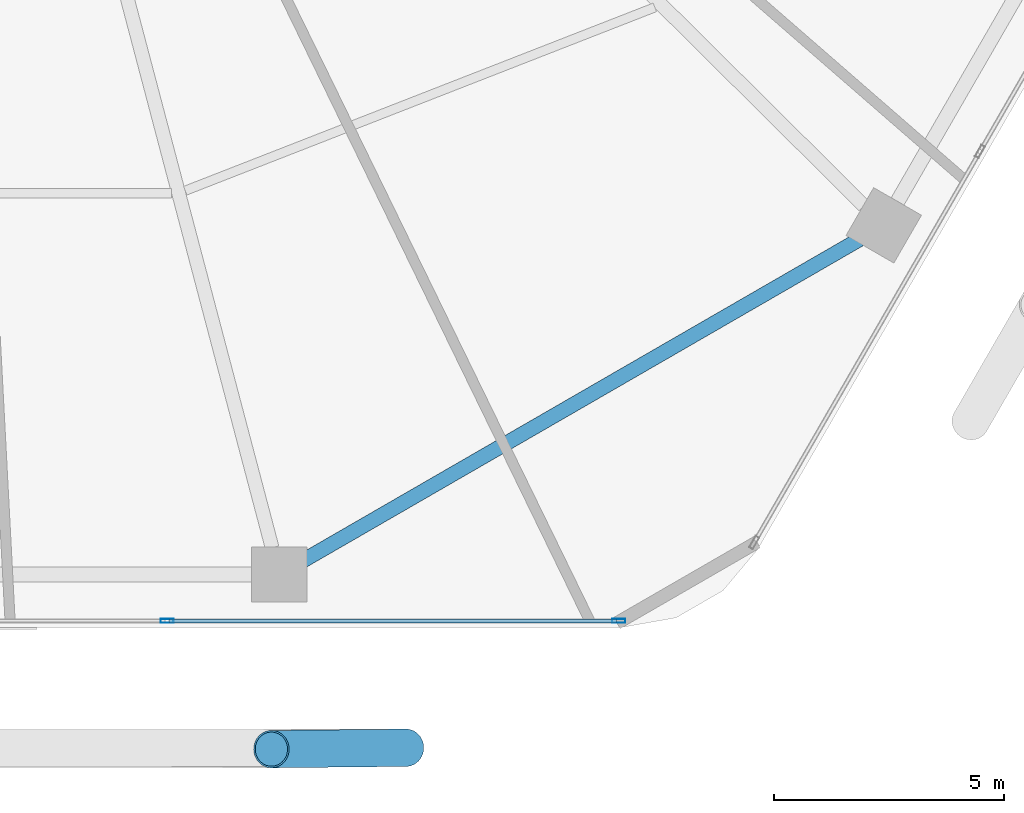
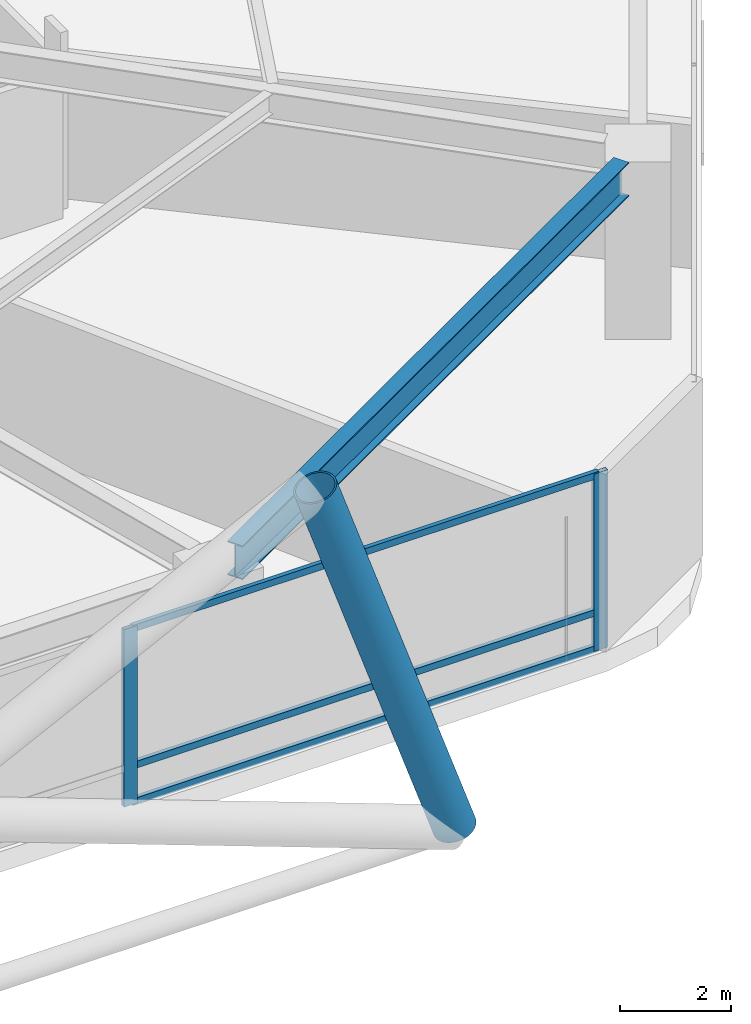
# One storey, part 7 of 31: 6 members, 1 beam, 1 element without a shape of its own.
"""IFC4 building model written with IfcOpenShell, lengths in metres."""

from ifc_helpers import new_model, si_unit, direction, frame, origin, origin_2d, place, context, subcontext, project, spatial, hollow_rectangle, hollow_circle, i_section, extrude, material, material_profile, profile_set, type_object, element, aggregate, save


model = new_model("IFC4")

# Units and contexts
model_context = context("Model", 3, precision=1e-05, world=origin(), true_north=direction((0.0, 1.0)))
body_context = subcontext(model_context, "Body", "Model", "MODEL_VIEW")
ifc_project = project(units=[si_unit("LENGTHUNIT", "METRE"), si_unit("AREAUNIT", "SQUARE_METRE"), si_unit("VOLUMEUNIT", "CUBIC_METRE"), si_unit("PLANEANGLEUNIT", "RADIAN"), si_unit("MASSUNIT", "GRAM", prefix="KILO")], contexts=[model_context])

# Site, building, storey
site_placement = place(None, origin())
site = spatial("IfcSite", under=ifc_project, at=site_placement, CompositionType="ELEMENT")
building_placement = place(site_placement, origin())
building = spatial("IfcBuilding", under=site, at=building_placement, Name="Zuhravey Tower", CompositionType="ELEMENT")
storey_placement = place(building_placement, frame((0.0, 0.0, 7.800048828125)))
storey = spatial("IfcBuildingStorey", under=building, at=storey_placement, Name="L02", CompositionType="ELEMENT", Elevation=7.800048828125)

# Curtain wall, members
ifc_material_1 = material(Name="Thermally broken anodised aluminium", Category="aluminium")
curtain_wall_type = type_object("IfcCurtainWallType", Name="School Low-E Unitised Curtain Wall CW1", PredefinedType="NOTDEFINED", material=ifc_material_1)
curtain_wall_placement = place(storey_placement, origin())
curtain_wall = element("IfcCurtainWall", 1, at=curtain_wall_placement, inside=storey, type_object=curtain_wall_type, Name="L02 CW1 CW-L02-F5-1", PredefinedType="NOTDEFINED")
ifc_material_2 = material(Name="Anodised aluminium", Category="aluminium")
ifc_material_profile_1 = material_profile(ifc_material_2, hollow_rectangle(XDim=0.090087890625, YDim=0.284912109375, WallThickness=0.0048828125, at=origin_2d()), Name="ALU-RHS-90x285x5")
ifc_profile_set_1 = profile_set([ifc_material_profile_1], Name="Anodised aluminium")
member_type_1 = type_object("IfcMemberType", Name="Curtain-Wall Mullion 90x180", PredefinedType="MULLION", material=ifc_profile_set_1)
member_1_placement = place(storey_placement, frame((50.75439453125, 3.04150390625, 0.0), z_axis=(0.0, 0.0, 1.0), x_axis=(0.0, -1.0, 0.0)))
member_1 = element("IfcMember", 2, at=member_1_placement, type_object=member_type_1, Name="CW1 mullion 1", PredefinedType="MULLION", context=body_context, shape_type="SweptSolid", body=[
    extrude(hollow_rectangle(XDim=0.090087890625, YDim=0.284912109375, WallThickness=0.0048828125, at=origin_2d()), origin(), (0.0, 0.0, 1.0), 3.919921875),
])
member_2_placement = place(storey_placement, frame((40.93310546875, 3.04150390625, 0.0), z_axis=(0.0, 0.0, 1.0), x_axis=(0.0, -1.0, 0.0)))
member_2 = element("IfcMember", 3, at=member_2_placement, type_object=member_type_1, Name="CW1 mullion 2", PredefinedType="MULLION", context=body_context, shape_type="SweptSolid", body=[
    extrude(hollow_rectangle(XDim=0.090087890625, YDim=0.284912109375, WallThickness=0.0048828125, at=origin_2d()), origin(), (0.0, 0.0, 1.0), 3.919921875),
])
ifc_material_profile_2 = material_profile(ifc_material_2, hollow_rectangle(XDim=0.090087890625, YDim=0.14990234375, WallThickness=0.0048828125, at=origin_2d()), Name="ALU-RHS-90x150x5")
ifc_profile_set_2 = profile_set([ifc_material_profile_2], Name="Anodised aluminium")
member_type_2 = type_object("IfcMemberType", Name="Curtain-Wall Transom 90x150", PredefinedType="USERDEFINED", material=ifc_profile_set_2)
member_3_placement = place(storey_placement, frame((50.70947265625, 3.04150390625, 0.044921875), z_axis=(-1.0, 0.0, 0.0), x_axis=(0.0, -1.0, 0.0)))
member_3 = element("IfcMember", 4, at=member_3_placement, type_object=member_type_2, Name="CW1 transom 1.1", ObjectType="TRANSOM", PredefinedType="USERDEFINED", context=body_context, shape_type="SweptSolid", body=[
    extrude(hollow_rectangle(XDim=0.090087890625, YDim=0.14990234375, WallThickness=0.0048828125, at=origin_2d()), origin(), (0.0, 0.0, 1.0), 9.731201171875),
])
member_4_placement = place(storey_placement, frame((50.70947265625, 3.04150390625, 0.849853515625), z_axis=(-1.0, 0.0, 0.0), x_axis=(0.0, -1.0, 0.0)))
member_4 = element("IfcMember", 5, at=member_4_placement, type_object=member_type_2, Name="CW1 transom 1.2", ObjectType="TRANSOM", PredefinedType="USERDEFINED", context=body_context, shape_type="SweptSolid", body=[
    extrude(hollow_rectangle(XDim=0.090087890625, YDim=0.14990234375, WallThickness=0.0048828125, at=origin_2d()), origin(), (0.0, 0.0, 1.0), 9.731201171875),
])
member_5_placement = place(storey_placement, frame((50.70947265625, 3.04150390625, 3.875), z_axis=(-1.0, 0.0, 0.0), x_axis=(0.0, -1.0, 0.0)))
member_5 = element("IfcMember", 6, at=member_5_placement, type_object=member_type_2, Name="CW1 transom 1.3", ObjectType="TRANSOM", PredefinedType="USERDEFINED", context=body_context, shape_type="SweptSolid", body=[
    extrude(hollow_rectangle(XDim=0.090087890625, YDim=0.14990234375, WallThickness=0.0048828125, at=origin_2d()), origin(), (0.0, 0.0, 1.0), 9.731201171875),
])
aggregate(curtain_wall, [member_1, member_2, member_3, member_4, member_5])

# Member
ifc_material_3 = material(Name="Steel SM460", Category="steel")
ifc_material_profile_3 = material_profile(ifc_material_3, hollow_circle(Radius=0.406494140625, WallThickness=0.035888671875, at=origin_2d()), Name="CHS-812.8x36")
ifc_profile_set_3 = profile_set([ifc_material_profile_3], Name="Steel SM460")
member_type_3 = type_object("IfcMemberType", Name="Exoskeleton Zone 1 Diagrid CHS813x36", PredefinedType="BRACE", material=ifc_profile_set_3)
member_6_placement = place(storey_placement, frame((46.129150390625, 0.281494140625, -0.64208984375), z_axis=(-0.324768383888, -0.003331096666, 0.945787714353), x_axis=(0.010256298411, -0.999947402788, 0.0)))
element("IfcMember", 7, at=member_6_placement, inside=storey, type_object=member_type_3, Name="L02 Face 5 Diagrid Brace 4", PredefinedType="BRACE", context=body_context, shape_type="SweptSolid", body=[
    extrude(hollow_circle(Radius=0.406494140625, WallThickness=0.035888671875, at=origin_2d()), origin(), (0.0, 0.0, 1.0), 9.014892578125),
])

# Beam
ifc_material_4 = material(Name="Steel SM355", Category="steel")
ifc_material_profile_4 = material_profile(ifc_material_4, i_section(OverallWidth=0.320068359375, OverallDepth=0.75, WebThickness=0.013916015625, FlangeThickness=0.02490234375, at=origin_2d()), Name="H-750x320x14x25")
ifc_profile_set_4 = profile_set([ifc_material_profile_4], Name="Steel SM355")
beam_type = type_object("IfcBeamType", Name="Perimeter Ring Beam H750x320", PredefinedType="BEAM", material=ifc_profile_set_4)
beam_placement = place(storey_placement, frame((43.89208984375, 4.35302734375, 3.544921875), z_axis=(0.866029969761, 0.499992091414, 0.0), x_axis=(-0.499992091414, 0.866029969761, 0.0)))
element("IfcBeam", 8, at=beam_placement, inside=storey, type_object=beam_type, Name="L02 PB1 BM-L02-PB-10", PredefinedType="BEAM", context=body_context, shape_type="SweptSolid", body=[
    extrude(i_section(OverallWidth=0.320068359375, OverallDepth=0.75, WebThickness=0.013916015625, FlangeThickness=0.02490234375, at=origin_2d()), origin(), (0.0, 0.0, 1.0), 13.977294921875),
])

save(model, "model.ifc")
